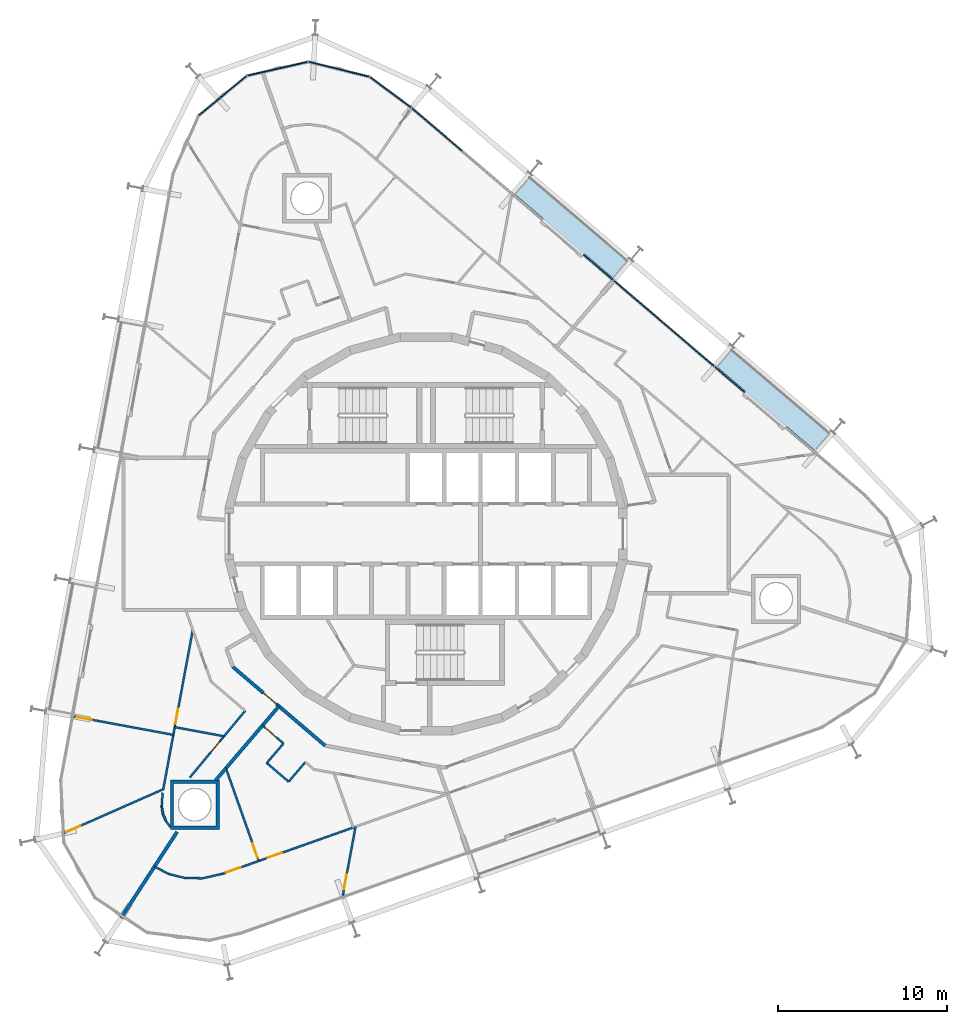
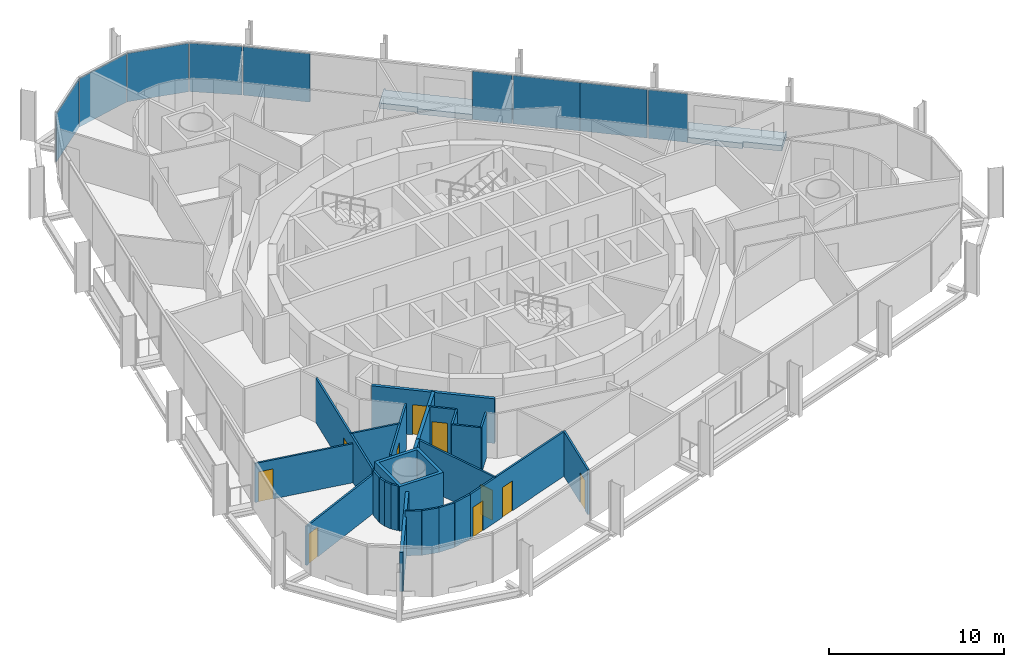
# One storey, part 10 of 17: 25 walls, 10 doors, 9 plates, 2 slabs, 10 openings, 2 elements without a shape of their own.
"""IFC4 building model written with IfcOpenShell, lengths in metres."""

import ifcopenshell
import ifcopenshell.guid

model = None  # the IFC model being written
_history = None  # IfcOwnerHistory: only IFC2X3 demands one
_inside = {}  # id of a spatial element -> (the spatial element, [elements in it])
_under = {}  # id of a project, library or spatial element -> (it, [spatial elements below it])
_declared = {}  # id of a project -> (the project, [libraries it declares])
_typed = {}  # id of a type object -> (the type object, [elements of that type])
_made_of = {}  # id of a material, layer set ... -> (it, [elements and type objects made of it])


def new_model(schema):
    """Start an empty IFC model of exactly this schema.

    Asked for "IFC4X3", IfcOpenShell would pick the latest addendum, in which some entities
    have other attributes; the version numbers below select the first issue.
    IFC2X3 requires an IfcOwnerHistory on every rooted entity: one is made here for all.
    """
    global model, _history
    if schema == "IFC4X3":
        model = ifcopenshell.file(schema_version=(4, 3, 0, 0))
    else:
        model = ifcopenshell.file(schema=schema)
    _inside.clear()
    _under.clear()
    _declared.clear()
    _typed.clear()
    _made_of.clear()
    _history = None
    if model.schema == "IFC2X3":
        org = make("IfcOrganization", Name="unknown")
        user = make(
            "IfcPersonAndOrganization",
            ThePerson=make("IfcPerson", FamilyName="unknown"),
            TheOrganization=org,
        )
        app = make(
            "IfcApplication",
            ApplicationDeveloper=org,
            Version="unknown",
            ApplicationFullName="unknown",
            ApplicationIdentifier="unknown",
        )
        _history = make(
            "IfcOwnerHistory",
            OwningUser=user,
            OwningApplication=app,
            ChangeAction="ADDED",
            CreationDate=0,
        )
    return model


def make(cls, **values):
    """One entity of the class cls with the attributes given. An attribute that is None is left unset."""
    return model.create_entity(
        cls, **{name: value for name, value in values.items() if value is not None}
    )


def rooted(cls, **values):
    """An entity with a GlobalId (a new one), such as an element, a storey or a relation."""
    return make(cls, GlobalId=ifcopenshell.guid.new(), OwnerHistory=_history, **values)


def si_unit(unit_type, name, prefix=None):
    """IfcSIUnit, for example si_unit("LENGTHUNIT", "METRE", prefix="MILLI")."""
    return make("IfcSIUnit", UnitType=unit_type, Prefix=prefix, Name=name)


def assignment(units):
    """IfcUnitAssignment: the units of a project."""
    return None if units is None else make("IfcUnitAssignment", Units=units)


def point(xyz):
    """IfcCartesianPoint."""
    return None if xyz is None else make("IfcCartesianPoint", Coordinates=xyz)


def direction(xyz):
    """IfcDirection."""
    return None if xyz is None else make("IfcDirection", DirectionRatios=xyz)


def frame(location, z_axis=None, x_axis=None):
    """IfcAxis2Placement3D, a coordinate frame: its origin and axes. An axis left out is left unset."""
    return make(
        "IfcAxis2Placement3D",
        Location=point(location),
        Axis=direction(z_axis),
        RefDirection=direction(x_axis),
    )


def frame_2d(location, x_axis=None):
    """IfcAxis2Placement2D, a coordinate frame in the plane: its origin and x axis."""
    return make(
        "IfcAxis2Placement2D", Location=point(location), RefDirection=direction(x_axis)
    )


def origin():
    """The frame at (0, 0, 0) with its axes left unset."""
    return frame((0.0, 0.0, 0.0))


def origin_2d():
    """The frame at (0, 0) in the plane with its x axis left unset."""
    return frame_2d((0.0, 0.0))


def place(relative_to, where):
    """IfcLocalPlacement: puts the frame where relative to a parent placement (None: the world)."""
    return make(
        "IfcLocalPlacement", PlacementRelTo=relative_to, RelativePlacement=where
    )


def context(
    kind, dimensions, precision=None, world=None, true_north=None, identifier=None
):
    """IfcGeometricRepresentationContext, for example the 3D "Model" context."""
    return make(
        "IfcGeometricRepresentationContext",
        ContextIdentifier=identifier,
        ContextType=kind,
        CoordinateSpaceDimension=dimensions,
        Precision=precision,
        WorldCoordinateSystem=world,
        TrueNorth=true_north,
    )


def subcontext(parent, identifier, kind, view, scale=None):
    """IfcGeometricRepresentationSubContext, for example "Body" below "Model"."""
    return make(
        "IfcGeometricRepresentationSubContext",
        ContextIdentifier=identifier,
        ContextType=kind,
        ParentContext=parent,
        TargetScale=scale,
        TargetView=view,
    )


def project(units=None, contexts=None):
    """IfcProject with its units and contexts."""
    return rooted(
        "IfcProject",
        Name="project",
        RepresentationContexts=contexts,
        UnitsInContext=assignment(units),
    )


def spatial(cls, under=None, at=None, **own):
    """A site, building, storey or space (cls), placed at a placement, below another one or the project."""
    s = rooted(cls, ObjectPlacement=at, **own)
    if under is not None:
        _under.setdefault(under.id(), (under, []))[1].append(s)
    return s


def polyline(points):
    """IfcPolyline through the points."""
    return make("IfcPolyline", Points=[point(p) for p in points])


def profile(cls, at=None, kind="AREA", **sizes):
    """A parametric profile (cls). Its sizes go by their IFC names, for example OverallWidth=200.0."""
    return make(cls, ProfileType=kind, Position=at, **sizes)


def rectangle(**sizes):
    """IfcRectangleProfileDef."""
    return profile("IfcRectangleProfileDef", **sizes)


def outline(outer, holes=None, kind="AREA"):
    """IfcArbitraryClosedProfileDef: a profile drawn as a closed curve; with holes, ...WithVoids."""
    if holes is None:
        return make("IfcArbitraryClosedProfileDef", ProfileType=kind, OuterCurve=outer)
    return make(
        "IfcArbitraryProfileDefWithVoids",
        ProfileType=kind,
        OuterCurve=outer,
        InnerCurves=holes,
    )


def extrude(swept, where, along, depth):
    """IfcExtrudedAreaSolid: the profile swept, set in the frame where, extruded along a direction by depth."""
    return make(
        "IfcExtrudedAreaSolid",
        SweptArea=swept,
        Position=where,
        ExtrudedDirection=direction(along),
        Depth=depth,
    )


def shape(context_of_items, identifier, shape_type, items):
    """IfcShapeRepresentation: the items that make up one representation, for example the "Body"."""
    return make(
        "IfcShapeRepresentation",
        ContextOfItems=context_of_items,
        RepresentationIdentifier=identifier,
        RepresentationType=shape_type,
        Items=items,
    )


def material(Name=None, Category=None):
    """IfcMaterial."""
    return make("IfcMaterial", Name=Name, Category=Category)


def layer(
    of_material, thickness, ventilated=None, Name=None, Category=None, Priority=None
):
    """IfcMaterialLayer: one layer of a wall or slab, of a material (None: an air gap)."""
    return make(
        "IfcMaterialLayer",
        Material=of_material,
        LayerThickness=thickness,
        IsVentilated=ventilated,
        Name=Name,
        Category=Category,
        Priority=Priority,
    )


def layer_set(layers, Name=None):
    """IfcMaterialLayerSet."""
    return make("IfcMaterialLayerSet", MaterialLayers=layers, LayerSetName=Name)


def made_of(thing, what):
    """Note that an element or type object is made of a material, layer set ...; save() writes the relation."""
    if what is not None:
        _made_of.setdefault(what.id(), (what, []))[1].append(thing)
    return thing


def type_object(cls, material=None, **own):
    """A type object (cls), such as IfcWallType, which elements share."""
    return made_of(rooted(cls, **own), material)


def element(
    cls,
    number,
    at=None,
    inside=None,
    cuts=None,
    type_object=None,
    material=None,
    context=None,
    identifier="Body",
    shape_type=None,
    held_by="IfcProductDefinitionShape",
    body=None,
    shapes=None,
    **own,
):
    """One element of the class cls, such as IfcWall. Its Tag is "e" and its number.

    at: its placement. inside: the storey or other place that contains it. cuts: it is an
    opening in that element (IfcRelVoidsElement). A single representation is given by context,
    identifier, shape_type and body (its items); several are given by shapes. held_by: the class
    of the entity that holds the representations. save() writes the other relations.
    """
    e = rooted(cls, Tag="e%d" % number, ObjectPlacement=at, **own)
    if body is not None:
        shapes = [shape(context, identifier, shape_type, body)]
    if shapes is not None:
        e.Representation = make(held_by, Representations=shapes)
    if inside is not None:
        _inside.setdefault(inside.id(), (inside, []))[1].append(e)
    if cuts is not None:
        rooted(
            "IfcRelVoidsElement", RelatingBuildingElement=cuts, RelatedOpeningElement=e
        )
    if type_object is not None:
        _typed.setdefault(type_object.id(), (type_object, []))[1].append(e)
    return made_of(e, material)


def fill(opening, filler):
    """IfcRelFillsElement: the door or window that sits in an opening."""
    return rooted(
        "IfcRelFillsElement",
        RelatingOpeningElement=opening,
        RelatedBuildingElement=filler,
    )


def aggregate(whole, parts):
    """IfcRelAggregates: a whole, such as a stair, and the parts it consists of."""
    return rooted("IfcRelAggregates", RelatingObject=whole, RelatedObjects=parts)


def save(model, path):
    """Write the relations noted so far, then the file.

    IfcRelAggregates (storeys below a building ...), IfcRelContainedInSpatialStructure (elements
    in a storey), IfcRelDefinesByType, IfcRelAssociatesMaterial and IfcRelDeclares: one each for
    every whole, place, type object, material and project.
    """
    for whole, parts in _under.values():
        aggregate(whole, parts)
    for where, things in _inside.values():
        rooted(
            "IfcRelContainedInSpatialStructure",
            RelatedElements=things,
            RelatingStructure=where,
        )
    for kind, things in _typed.values():
        rooted("IfcRelDefinesByType", RelatedObjects=things, RelatingType=kind)
    for what, things in _made_of.values():
        rooted("IfcRelAssociatesMaterial", RelatedObjects=things, RelatingMaterial=what)
    for by, libraries in _declared.values():
        rooted("IfcRelDeclares", RelatingContext=by, RelatedDefinitions=libraries)
    model.write(path)


model = new_model("IFC4")

# Units and contexts
model_context = context("Model", 3, precision=1e-05, world=origin(), true_north=direction((0.0, 1.0)))
body_context = subcontext(model_context, "Body", "Model", "MODEL_VIEW")
ifc_project = project(units=[si_unit("LENGTHUNIT", "METRE"), si_unit("AREAUNIT", "SQUARE_METRE"), si_unit("VOLUMEUNIT", "CUBIC_METRE"), si_unit("PLANEANGLEUNIT", "RADIAN"), si_unit("MASSUNIT", "GRAM", prefix="KILO")], contexts=[model_context])

# Site, building, storey
site_placement = place(None, origin())
site = spatial("IfcSite", under=ifc_project, at=site_placement, CompositionType="ELEMENT")
building_placement = place(site_placement, origin())
building = spatial("IfcBuilding", under=site, at=building_placement, Name="Spindle Arch Residences", CompositionType="ELEMENT")
storey_placement = place(building_placement, frame((0.0, 0.0, 155.199951171875)))
storey = spatial("IfcBuildingStorey", under=building, at=storey_placement, Name="L38", CompositionType="ELEMENT", Elevation=155.199951171875)

# Slabs
ifc_material_1 = material(Name="Concrete C40/50", Category="concrete")
ifc_layer_1 = layer(ifc_material_1, 0.3798828125)
ifc_layer_set_1 = layer_set([ifc_layer_1], Name="Balcony slab 380")
slab_type = type_object("IfcSlabType", Name="Balcony slab 380", PredefinedType="FLOOR", material=ifc_layer_set_1)
slab_1_placement = place(storey_placement, frame((0.0, 0.0, -0.3798828125)))
element("IfcSlab", 1, at=slab_1_placement, inside=storey, type_object=slab_type, Name="Balcony L38 bay 6", PredefinedType="FLOOR", context=body_context, shape_type="SweptSolid", body=[
    extrude(outline(polyline([(24.00830078125, 6.037353515625), (23.951171875, 6.0859375), (23.853759765625, 5.971923828125), (18.105224609375, 10.8818359375), (18.20263671875, 10.995849609375), (18.1455078125, 11.044677734375), (17.177734375, 9.91162109375), (18.892578125, 8.447021484375), (18.78857421875, 8.325439453125), (21.221923828125, 6.2470703125), (21.325927734375, 6.368896484375), (23.04052734375, 4.904296875), (24.00830078125, 6.037353515625)])), origin(), (0.0, 0.0, 1.0), 0.3798828125),
])
slab_2_placement = place(storey_placement, frame((0.0, 0.0, -0.3798828125)))
element("IfcSlab", 2, at=slab_2_placement, inside=storey, type_object=slab_type, Name="Balcony L38 bay 8", PredefinedType="FLOOR", context=body_context, shape_type="SweptSolid", body=[
    extrude(outline(polyline([(12.0546875, 16.246826171875), (11.99755859375, 16.29541015625), (11.900146484375, 16.181396484375), (6.1513671875, 21.09130859375), (6.248779296875, 21.205322265625), (6.19189453125, 21.25390625), (5.22412109375, 20.12109375), (6.93896484375, 18.656494140625), (6.8349609375, 18.534912109375), (9.268310546875, 16.45654296875), (9.3720703125, 16.578369140625), (11.0869140625, 15.11376953125), (12.0546875, 16.246826171875)])), origin(), (0.0, 0.0, 1.0), 0.3798828125),
])

# Curtain wall, plates
ifc_material_2 = material(Name="Aluminium bronze unitised frame with tinted glass", Category="aluminium")
ifc_layer_2 = layer(ifc_material_2, 0.159912109375)
ifc_layer_set_2 = layer_set([ifc_layer_2], Name="CW-C typical residential unitised wall")
curtain_wall_type_1 = type_object("IfcCurtainWallType", Name="CW-C typical residential unitised wall", PredefinedType="NOTDEFINED", material=ifc_layer_set_2)
curtain_wall_1_placement = place(storey_placement, origin())
curtain_wall_1 = element("IfcCurtainWall", 3, at=curtain_wall_1_placement, inside=storey, type_object=curtain_wall_type_1, Name="CW-C L38 run 2", PredefinedType="NOTDEFINED")
ifc_material_3 = material(Name="Tinted double glazing over non-combustible spandrel zone with 0.55 mm stainless steel cavity fire stop (K0)", Category="steel")
ifc_layer_3 = layer(ifc_material_3, 0.070068359375)
ifc_layer_set_3 = layer_set([ifc_layer_3], Name="Unitised glass panel with spandrel zone and stainless cavity fire stop")
plate_type = type_object("IfcPlateType", Name="Unitised glass panel with spandrel zone and stainless cavity fire stop", PredefinedType="CURTAIN_PANEL", material=ifc_layer_set_3)
plate_1_placement = place(storey_placement, frame((17.966064453125, 9.133056640625, -0.3798828125), z_axis=(0.0, 0.0, 1.0), x_axis=(-0.7604059656, 0.64944804833, 0.0)))
plate_1 = element("IfcPlate", 4, at=plate_1_placement, type_object=plate_type, Name="CW-C unit 05R", PredefinedType="CURTAIN_PANEL", context=body_context, shape_type="SweptSolid", body=[
    extrude(rectangle(XDim=2.300048828125, YDim=0.070068359375, at=origin_2d()), origin(), (0.0, 0.0, 1.0), 3.3798828125),
])
plate_2_placement = place(storey_placement, frame((15.563232421875, 11.185302734375, -0.3798828125), z_axis=(0.0, 0.0, 1.0), x_axis=(-0.7604059656, 0.64944804833, 0.0)))
plate_2 = element("IfcPlate", 5, at=plate_2_placement, type_object=plate_type, Name="CW-C unit 06A", PredefinedType="CURTAIN_PANEL", context=body_context, shape_type="SweptSolid", body=[
    extrude(rectangle(XDim=3.900146484375, YDim=0.070068359375, at=origin_2d()), origin(), (0.0, 0.0, 1.0), 3.3798828125),
])
plate_3_placement = place(storey_placement, frame((12.59765625, 13.71826171875, -0.3798828125), z_axis=(0.0, 0.0, 1.0), x_axis=(-0.7604059656, 0.64944804833, 0.0)))
plate_3 = element("IfcPlate", 6, at=plate_3_placement, type_object=plate_type, Name="CW-C unit 06B", PredefinedType="CURTAIN_PANEL", context=body_context, shape_type="SweptSolid", body=[
    extrude(rectangle(XDim=3.900146484375, YDim=0.070068359375, at=origin_2d()), origin(), (0.0, 0.0, 1.0), 3.3798828125),
])
plate_4_placement = place(storey_placement, frame((10.19482421875, 15.7705078125, -0.3798828125), z_axis=(0.0, 0.0, 1.0), x_axis=(-0.7604059656, 0.64944804833, 0.0)))
plate_4 = element("IfcPlate", 7, at=plate_4_placement, type_object=plate_type, Name="CW-C unit 07L", PredefinedType="CURTAIN_PANEL", context=body_context, shape_type="SweptSolid", body=[
    extrude(rectangle(XDim=2.300048828125, YDim=0.070068359375, at=origin_2d()), origin(), (0.0, 0.0, 1.0), 3.3798828125),
])
plate_5_placement = place(storey_placement, frame((0.643798828125, 23.927734375, -0.3798828125), z_axis=(0.0, 0.0, 1.0), x_axis=(-0.7604059656, 0.64944804833, 0.0)))
plate_5 = element("IfcPlate", 8, at=plate_5_placement, type_object=plate_type, Name="CW-C unit 08B", PredefinedType="CURTAIN_PANEL", context=body_context, shape_type="SweptSolid", body=[
    extrude(rectangle(XDim=3.900146484375, YDim=0.070068359375, at=origin_2d()), origin(), (0.0, 0.0, 1.0), 3.3798828125),
])
aggregate(curtain_wall_1, [plate_1, plate_2, plate_3, plate_4, plate_5])

ifc_material_4 = material(Name="Aluminium bronze unitised frame with tinted glass", Category="aluminium")
ifc_layer_4 = layer(ifc_material_4, 0.159912109375)
ifc_layer_set_4 = layer_set([ifc_layer_4], Name="CW-D corner wall on the fillet arcs")
curtain_wall_type_2 = type_object("IfcCurtainWallType", Name="CW-D corner wall on the fillet arcs", PredefinedType="NOTDEFINED", material=ifc_layer_set_4)
curtain_wall_2_placement = place(storey_placement, origin())
curtain_wall_2 = element("IfcCurtainWall", 9, at=curtain_wall_2_placement, inside=storey, type_object=curtain_wall_type_2, Name="CW-D L38 run 3", PredefinedType="NOTDEFINED")
plate_6_placement = place(storey_placement, frame((-2.102294921875, 26.1298828125, -0.3798828125), z_axis=(0.0, 0.0, 1.0), x_axis=(-0.804365716131, 0.594134492109, 0.0)))
plate_6 = element("IfcPlate", 10, at=plate_6_placement, type_object=plate_type, Name="CW-D unit 00", PredefinedType="CURTAIN_PANEL", context=body_context, shape_type="SweptSolid", body=[
    extrude(rectangle(XDim=3.0244140625, YDim=0.070068359375, at=origin_2d()), origin(), (0.0, 0.0, 1.0), 3.3798828125),
])
plate_7_placement = place(storey_placement, frame((-5.152099609375, 27.49169921875, -0.3798828125), z_axis=(0.0, 0.0, 1.0), x_axis=(-0.970995342056, 0.239098401721, 0.0)))
plate_7 = element("IfcPlate", 11, at=plate_7_placement, type_object=plate_type, Name="CW-D unit 01", PredefinedType="CURTAIN_PANEL", context=body_context, shape_type="SweptSolid", body=[
    extrude(rectangle(XDim=3.666748046875, YDim=0.070068359375, at=origin_2d()), origin(), (0.0, 0.0, 1.0), 3.3798828125),
])
plate_8_placement = place(storey_placement, frame((-8.7783203125, 27.5234375, -0.3798828125), z_axis=(0.0, 0.0, 1.0), x_axis=(-0.975020297449, -0.222115779633, 0.0)))
plate_8 = element("IfcPlate", 12, at=plate_8_placement, type_object=plate_type, Name="CW-D unit 02", PredefinedType="CURTAIN_PANEL", context=body_context, shape_type="SweptSolid", body=[
    extrude(rectangle(XDim=3.666748046875, YDim=0.070068359375, at=origin_2d()), origin(), (0.0, 0.0, 1.0), 3.3798828125),
])
plate_9_placement = place(storey_placement, frame((-12.032958984375, 25.92431640625, -0.3798828125), z_axis=(0.0, 0.0, 1.0), x_axis=(-0.771624583032, -0.636078220709, 0.0)))
plate_9 = element("IfcPlate", 13, at=plate_9_placement, type_object=plate_type, Name="CW-D unit 03", PredefinedType="CURTAIN_PANEL", context=body_context, shape_type="SweptSolid", body=[
    extrude(rectangle(XDim=3.666748046875, YDim=0.070068359375, at=origin_2d()), origin(), (0.0, 0.0, 1.0), 3.3798828125),
])
aggregate(curtain_wall_2, [plate_6, plate_7, plate_8, plate_9])

# Wall, opening, door
ifc_material_5 = material(Name="Calcium silicate block, plastered")
ifc_layer_5 = layer(ifc_material_5, 0.199951171875)
ifc_layer_set_5 = layer_set([ifc_layer_5], Name="Corridor wall 200")
wall_type_1 = type_object("IfcWallType", Name="Corridor wall 200", PredefinedType="STANDARD", material=ifc_layer_set_5)
wall_1_placement = place(storey_placement, frame((-11.432861328125, -7.857666015625, 0.0), z_axis=(0.0, 0.0, 1.0), x_axis=(0.760412154545, -0.649440801937, 0.0)))
wall_1 = element("IfcWall", 14, at=wall_1_placement, inside=storey, type_object=wall_type_1, Name="Corridor wall R4A1-W017", PredefinedType="STANDARD", context=body_context, shape_type="SweptSolid", body=[
    extrude(rectangle(XDim=7.180908203125, YDim=0.199951171875, at=frame_2d((3.59033203125, 0.0))), origin(), (0.0, 0.0, 1.0), 3.1201171875),
])
opening_1_placement = place(wall_1_placement, frame((2.390380859375, 0.0, 0.0)))
opening_1 = element("IfcOpeningElement", 15, at=opening_1_placement, cuts=wall_1, Name="Opening R4A1-FD04", PredefinedType="OPENING", context=body_context, shape_type="SweptSolid", body=[
    extrude(rectangle(XDim=1.0, YDim=2.10009765625, at=frame_2d((0.5, 1.050048828125))), frame((0.0, 0.10986328125, 0.0), z_axis=(0.0, -1.0, 0.0), x_axis=(1.0, 0.0, 0.0)), (0.0, 0.0, 1.0), 0.219970703125),
])
ifc_material_6 = material(Name="Timber, fire-resisting door set", Category="wood")
door_type_1 = type_object("IfcDoorType", Name="Flat entrance door 1000x2100", OperationType="NOTDEFINED", PredefinedType="DOOR", material=ifc_material_6)
door_1_placement = place(opening_1_placement, origin())
door_1 = element("IfcDoor", 16, at=door_1_placement, inside=storey, type_object=door_type_1, Name="Flat entrance door R4A1-FD04", OperationType="SINGLE_SWING_RIGHT", OverallHeight=2.10009765625, OverallWidth=1.0, PredefinedType="DOOR", context=body_context, shape_type="SweptSolid", body=[
    extrude(rectangle(XDim=1.0, YDim=2.10009765625, at=frame_2d((0.5, 1.050048828125))), frame((0.0, 0.02490234375, 0.0), z_axis=(0.0, -1.0, 0.0), x_axis=(1.0, 0.0, 0.0)), (0.0, 0.0, 1.0), 0.050048828125),
])
fill(opening_1, door_1)

ifc_material_7 = material(Name="Plasterboard on steel studs", Category="steel")
ifc_layer_6 = layer(ifc_material_7, 0.1201171875)
ifc_layer_set_6 = layer_set([ifc_layer_6], Name="Flat partition 120")
wall_type_2 = type_object("IfcWallType", Name="Flat partition 120", PredefinedType="PARTITIONING", material=ifc_layer_set_6)
wall_2_placement = place(storey_placement, frame((-10.697998046875, -10.4580078125, 0.0), z_axis=(0.0, 0.0, 1.0), x_axis=(-0.63830561059, -0.769783052223, 0.0)))
wall_2 = element("IfcWall", 17, at=wall_2_placement, inside=storey, type_object=wall_type_2, Name="Flat partition R4A1-W087", PredefinedType="PARTITIONING", context=body_context, shape_type="SweptSolid", body=[
    extrude(rectangle(XDim=5.130615234375, YDim=0.1201171875, at=frame_2d((2.5654296875, 0.0))), origin(), (0.0, 0.0, 1.0), 3.1201171875),
])
opening_2_placement = place(wall_2_placement, frame((2.362548828125, 0.0, 0.0)))
opening_2 = element("IfcOpeningElement", 18, at=opening_2_placement, cuts=wall_2, Name="Opening R4A1-BD04", PredefinedType="OPENING", context=body_context, shape_type="SweptSolid", body=[
    extrude(rectangle(XDim=0.800048828125, YDim=2.10009765625, at=frame_2d((0.39990234375, 1.050048828125))), frame((0.0, 0.070068359375, 0.0), z_axis=(0.0, -1.0, 0.0), x_axis=(1.0, 0.0, 0.0)), (0.0, 0.0, 1.0), 0.14013671875),
])
ifc_material_8 = material(Name="Timber door set", Category="wood")
door_type_2 = type_object("IfcDoorType", Name="Bathroom door 800x2100", OperationType="NOTDEFINED", PredefinedType="DOOR", material=ifc_material_8)
door_2_placement = place(opening_2_placement, origin())
door_2 = element("IfcDoor", 19, at=door_2_placement, inside=storey, type_object=door_type_2, Name="Bathroom door R4A1-BD04", OperationType="SINGLE_SWING_RIGHT", OverallHeight=2.10009765625, OverallWidth=0.800048828125, PredefinedType="DOOR", context=body_context, shape_type="SweptSolid", body=[
    extrude(rectangle(XDim=0.800048828125, YDim=2.10009765625, at=frame_2d((0.39990234375, 1.050048828125))), frame((0.0, 0.02490234375, 0.0), z_axis=(0.0, -1.0, 0.0), x_axis=(1.0, 0.0, 0.0)), (0.0, 0.0, 1.0), 0.050048828125),
])
fill(opening_2, door_2)

wall_3_placement = place(storey_placement, frame((-15.55419921875, -15.149169921875, 0.0), z_axis=(0.0, 0.0, 1.0), x_axis=(0.182237116667, 0.983254612656, 0.0)))
wall_3 = element("IfcWall", 20, at=wall_3_placement, inside=storey, type_object=wall_type_2, Name="Flat partition R4A1-W089", PredefinedType="PARTITIONING", context=body_context, shape_type="SweptSolid", body=[
    extrude(rectangle(XDim=9.6376953125, YDim=0.1201171875, at=frame_2d((4.81884765625, 0.0))), origin(), (0.0, 0.0, 1.0), 3.1201171875),
])
opening_3_placement = place(wall_3_placement, frame((3.98388671875, 0.0, 0.0)))
opening_3 = element("IfcOpeningElement", 21, at=opening_3_placement, cuts=wall_3, Name="Opening R4A1-ID17", PredefinedType="OPENING", context=body_context, shape_type="SweptSolid", body=[
    extrude(rectangle(XDim=0.89990234375, YDim=2.10009765625, at=frame_2d((0.449951171875, 1.050048828125))), frame((0.0, 0.070068359375, 0.0), z_axis=(0.0, -1.0, 0.0), x_axis=(1.0, 0.0, 0.0)), (0.0, 0.0, 1.0), 0.14013671875),
])
ifc_material_9 = material(Name="Timber door set", Category="wood")
door_type_3 = type_object("IfcDoorType", Name="Room door 900x2100", OperationType="NOTDEFINED", PredefinedType="DOOR", material=ifc_material_9)
door_3_placement = place(opening_3_placement, origin())
door_3 = element("IfcDoor", 22, at=door_3_placement, inside=storey, type_object=door_type_3, Name="Room door R4A1-ID17", OperationType="SINGLE_SWING_RIGHT", OverallHeight=2.10009765625, OverallWidth=0.89990234375, PredefinedType="DOOR", context=body_context, shape_type="SweptSolid", body=[
    extrude(rectangle(XDim=0.89990234375, YDim=2.10009765625, at=frame_2d((0.449951171875, 1.050048828125))), frame((0.0, 0.02490234375, 0.0), z_axis=(0.0, -1.0, 0.0), x_axis=(1.0, 0.0, 0.0)), (0.0, 0.0, 1.0), 0.050048828125),
])
fill(opening_3, door_3)

# Walls
wall_4_placement = place(storey_placement, frame((-14.864501953125, -11.428466796875, 0.0), z_axis=(0.0, 0.0, 1.0), x_axis=(0.983255224962, -0.182233812955, 0.0)))
element("IfcWall", 23, at=wall_4_placement, inside=storey, type_object=wall_type_2, Name="Flat partition R4A1-W091", PredefinedType="PARTITIONING", context=body_context, shape_type="SweptSolid", body=[
    extrude(rectangle(XDim=2.96337890625, YDim=0.1201171875, at=frame_2d((1.481689453125, 0.0))), origin(), (0.0, 0.0, 1.0), 3.1201171875),
])
wall_5_placement = place(storey_placement, frame((-15.583984375, -15.310546875, 0.0), z_axis=(0.0, 0.0, 1.0), x_axis=(-0.066880551605, -0.997760989324, 0.0)))
element("IfcWall", 24, at=wall_5_placement, inside=storey, type_object=wall_type_2, Name="Flat partition R4A1-W092", PredefinedType="PARTITIONING", context=body_context, shape_type="SweptSolid", body=[
    extrude(rectangle(XDim=0.806640625, YDim=0.1201171875, at=frame_2d((0.4033203125, 0.0))), origin(), (0.0, 0.0, 1.0), 3.1201171875),
])
for number, where, z_axis, x_axis, name in (
    (25, (-15.637939453125, -16.115478515625, 0.0), (0.0, 0.0, 1.0), (0.16474706489, -0.986335847777, 0.0), "Flat partition R4A1-W093"),
    (26, (-15.56298828125, -16.564208984375, 0.0), (0.0, 0.0, 1.0), (0.388536778391, -0.921433216157, 0.0), "Flat partition R4A1-W094"),
):
    element("IfcWall", number, at=place(storey_placement, frame(where, z_axis=z_axis, x_axis=x_axis)), inside=storey, type_object=wall_type_2, Name=name, PredefinedType="PARTITIONING", context=body_context, shape_type="SweptSolid", body=[
        extrude(rectangle(XDim=0.454833984375, YDim=0.1201171875, at=frame_2d((0.2275390625, 0.0))), origin(), (0.0, 0.0, 1.0), 3.1201171875),
    ])
wall_6_placement = place(storey_placement, frame((-15.38623046875, -16.9833984375, 0.0), z_axis=(0.0, 0.0, 1.0), x_axis=(0.590016589342, -0.807391122258, 0.0)))
element("IfcWall", 27, at=wall_6_placement, inside=storey, type_object=wall_type_2, Name="Flat partition R4A1-W095", PredefinedType="PARTITIONING", context=body_context, shape_type="SweptSolid", body=[
    extrude(rectangle(XDim=0.432373046875, YDim=0.1201171875, at=frame_2d((0.21630859375, 0.0))), origin(), (0.0, 0.0, 1.0), 3.1201171875),
])

# Wall, opening, door
wall_7_placement = place(storey_placement, frame((-9.6767578125, -11.330078125, 0.0), z_axis=(0.0, 0.0, 1.0), x_axis=(0.760372142735, -0.649487647729, 0.0)))
wall_7 = element("IfcWall", 28, at=wall_7_placement, inside=storey, type_object=wall_type_2, Name="Flat partition R4A1-W096", PredefinedType="PARTITIONING", context=body_context, shape_type="SweptSolid", body=[
    extrude(rectangle(XDim=1.635986328125, YDim=0.1201171875, at=frame_2d((0.81787109375, 0.0))), origin(), (0.0, 0.0, 1.0), 3.1201171875),
])
opening_4_placement = place(wall_7_placement, frame((0.199951171875, 0.0, 0.0)))
opening_4 = element("IfcOpeningElement", 29, at=opening_4_placement, cuts=wall_7, Name="Opening R4A1-ID20", PredefinedType="OPENING", context=body_context, shape_type="SweptSolid", body=[
    extrude(rectangle(XDim=0.89990234375, YDim=2.10009765625, at=frame_2d((0.449951171875, 1.050048828125))), frame((0.0, 0.070068359375, 0.0), z_axis=(0.0, -1.0, 0.0), x_axis=(1.0, 0.0, 0.0)), (0.0, 0.0, 1.0), 0.14013671875),
])
door_4_placement = place(opening_4_placement, origin())
door_4 = element("IfcDoor", 30, at=door_4_placement, inside=storey, type_object=door_type_3, Name="Room door R4A1-ID20", OperationType="SINGLE_SWING_LEFT", OverallHeight=2.10009765625, OverallWidth=0.89990234375, PredefinedType="DOOR", context=body_context, shape_type="SweptSolid", body=[
    extrude(rectangle(XDim=0.89990234375, YDim=2.10009765625, at=frame_2d((0.449951171875, 1.050048828125))), frame((0.0, 0.02490234375, 0.0), z_axis=(0.0, -1.0, 0.0), x_axis=(1.0, 0.0, 0.0)), (0.0, 0.0, 1.0), 0.050048828125),
])
fill(opening_4, door_4)

# Walls
wall_8_placement = place(storey_placement, frame((-8.432861328125, -12.392578125, 0.0), z_axis=(0.0, 0.0, 1.0), x_axis=(-0.649443355674, -0.760409973482, 0.0)))
element("IfcWall", 31, at=wall_8_placement, inside=storey, type_object=wall_type_2, Name="Flat partition R4A1-W097", PredefinedType="PARTITIONING", context=body_context, shape_type="SweptSolid", body=[
    extrude(rectangle(XDim=1.5224609375, YDim=0.1201171875, at=frame_2d((0.76123046875, 0.0))), origin(), (0.0, 0.0, 1.0), 3.1201171875),
])
wall_9_placement = place(storey_placement, frame((-9.421630859375, -13.55029296875, 0.0), z_axis=(0.0, 0.0, 1.0), x_axis=(0.760431300628, -0.649418383652, 0.0)))
element("IfcWall", 32, at=wall_9_placement, inside=storey, type_object=wall_type_2, Name="Flat partition R4A1-W098", PredefinedType="PARTITIONING", context=body_context, shape_type="SweptSolid", body=[
    extrude(rectangle(XDim=1.699951171875, YDim=0.1201171875, at=frame_2d((0.85009765625, 0.0))), origin(), (0.0, 0.0, 1.0), 3.1201171875),
])
wall_10_placement = place(storey_placement, frame((-8.12890625, -14.654296875, 0.0), z_axis=(0.0, 0.0, 1.0), x_axis=(0.649443355674, 0.760409973482, 0.0)))
element("IfcWall", 33, at=wall_10_placement, inside=storey, type_object=wall_type_2, Name="Flat partition R4A1-W099", PredefinedType="PARTITIONING", context=body_context, shape_type="SweptSolid", body=[
    extrude(rectangle(XDim=1.5224609375, YDim=0.1201171875, at=frame_2d((0.76123046875, 0.0))), origin(), (0.0, 0.0, 1.0), 3.1201171875),
])

# Wall, opening, door
wall_11_placement = place(storey_placement, frame((-9.895263671875, -19.345703125, 0.0), z_axis=(0.0, 0.0, 1.0), x_axis=(-0.333781129158, 0.942650602195, 0.0)))
wall_11 = element("IfcWall", 34, at=wall_11_placement, inside=storey, type_object=wall_type_2, Name="Flat partition R4A1-W102", PredefinedType="PARTITIONING", context=body_context, shape_type="SweptSolid", body=[
    extrude(rectangle(XDim=5.8193359375, YDim=0.1201171875, at=frame_2d((2.90966796875, 0.0))), origin(), (0.0, 0.0, 1.0), 3.1201171875),
])
opening_5_placement = place(wall_11_placement, frame((0.199951171875, 0.0, 0.0)))
opening_5 = element("IfcOpeningElement", 35, at=opening_5_placement, cuts=wall_11, Name="Opening R4A1-ID21", PredefinedType="OPENING", context=body_context, shape_type="SweptSolid", body=[
    extrude(rectangle(XDim=0.89990234375, YDim=2.10009765625, at=frame_2d((0.449951171875, 1.050048828125))), frame((0.0, 0.070068359375, 0.0), z_axis=(0.0, -1.0, 0.0), x_axis=(1.0, 0.0, 0.0)), (0.0, 0.0, 1.0), 0.14013671875),
])
door_5_placement = place(opening_5_placement, origin())
door_5 = element("IfcDoor", 36, at=door_5_placement, inside=storey, type_object=door_type_3, Name="Room door R4A1-ID21", OperationType="SINGLE_SWING_LEFT", OverallHeight=2.10009765625, OverallWidth=0.89990234375, PredefinedType="DOOR", context=body_context, shape_type="SweptSolid", body=[
    extrude(rectangle(XDim=0.89990234375, YDim=2.10009765625, at=frame_2d((0.449951171875, 1.050048828125))), frame((0.0, 0.02490234375, 0.0), z_axis=(0.0, -1.0, 0.0), x_axis=(1.0, 0.0, 0.0)), (0.0, 0.0, 1.0), 0.050048828125),
])
fill(opening_5, door_5)

# Walls
wall_12_placement = place(storey_placement, frame((-16.065185546875, -19.679931640625, 0.0), z_axis=(0.0, 0.0, 1.0), x_axis=(0.889684645268, -0.456575549033, 0.0)))
element("IfcWall", 37, at=wall_12_placement, inside=storey, type_object=wall_type_2, Name="Flat partition R4A1-W103", PredefinedType="PARTITIONING", context=body_context, shape_type="SweptSolid", body=[
    extrude(rectangle(XDim=0.95703125, YDim=0.1201171875, at=frame_2d((0.478515625, 0.0))), origin(), (0.0, 0.0, 1.0), 3.1201171875),
])
wall_13_placement = place(storey_placement, frame((-15.213623046875, -20.116943359375, 0.0), z_axis=(0.0, 0.0, 1.0), x_axis=(0.970998575146, -0.239085271534, 0.0)))
element("IfcWall", 38, at=wall_13_placement, inside=storey, type_object=wall_type_2, Name="Flat partition R4A1-W104", PredefinedType="PARTITIONING", context=body_context, shape_type="SweptSolid", body=[
    extrude(rectangle(XDim=1.01611328125, YDim=0.1201171875, at=frame_2d((0.508056640625, 0.0))), origin(), (0.0, 0.0, 1.0), 3.1201171875),
])
wall_14_placement = place(storey_placement, frame((-14.22705078125, -20.35986328125, 0.0), z_axis=(0.0, 0.0, 1.0), x_axis=(0.999960467683, -0.008891741722, 0.0)))
element("IfcWall", 39, at=wall_14_placement, inside=storey, type_object=wall_type_2, Name="Flat partition R4A1-W105", PredefinedType="PARTITIONING", context=body_context, shape_type="SweptSolid", body=[
    extrude(rectangle(XDim=1.015869140625, YDim=0.1201171875, at=frame_2d((0.5078125, 0.0))), origin(), (0.0, 0.0, 1.0), 3.1201171875),
])
wall_15_placement = place(storey_placement, frame((-13.211181640625, -20.368896484375, 0.0), z_axis=(0.0, 0.0, 1.0), x_axis=(0.974997834831, 0.222214360642, 0.0)))
element("IfcWall", 40, at=wall_15_placement, inside=storey, type_object=wall_type_2, Name="Flat partition R4A1-W106", PredefinedType="PARTITIONING", context=body_context, shape_type="SweptSolid", body=[
    extrude(rectangle(XDim=1.227294921875, YDim=0.1201171875, at=frame_2d((0.61376953125, 0.0))), origin(), (0.0, 0.0, 1.0), 3.1201171875),
])

# Wall, openings, doors
wall_16_placement = place(storey_placement, frame((-12.0146484375, -20.09619140625, 0.0), z_axis=(0.0, 0.0, 1.0), x_axis=(0.942638718556, 0.333814688531, 0.0)))
wall_16 = element("IfcWall", 41, at=wall_16_placement, inside=storey, type_object=wall_type_2, Name="Flat partition R4A1-W107", PredefinedType="PARTITIONING", context=body_context, shape_type="SweptSolid", body=[
    extrude(rectangle(XDim=8.216064453125, YDim=0.1201171875, at=frame_2d((4.10791015625, 0.0))), origin(), (0.0, 0.0, 1.0), 3.1201171875),
])
opening_6_placement = place(wall_16_placement, frame((2.80859375, 0.0, 0.0)))
opening_6 = element("IfcOpeningElement", 42, at=opening_6_placement, cuts=wall_16, Name="Opening R4A1-ID22", PredefinedType="OPENING", context=body_context, shape_type="SweptSolid", body=[
    extrude(rectangle(XDim=0.89990234375, YDim=2.10009765625, at=frame_2d((0.449951171875, 1.050048828125))), frame((0.0, 0.070068359375, 0.0), z_axis=(0.0, -1.0, 0.0), x_axis=(1.0, 0.0, 0.0)), (0.0, 0.0, 1.0), 0.14013671875),
])
opening_7_placement = place(wall_16_placement, frame((0.199951171875, 0.0, 0.0)))
opening_7 = element("IfcOpeningElement", 43, at=opening_7_placement, cuts=wall_16, Name="Opening R4A1-ID24", PredefinedType="OPENING", context=body_context, shape_type="SweptSolid", body=[
    extrude(rectangle(XDim=0.89990234375, YDim=2.10009765625, at=frame_2d((0.449951171875, 1.050048828125))), frame((0.0, 0.070068359375, 0.0), z_axis=(0.0, -1.0, 0.0), x_axis=(1.0, 0.0, 0.0)), (0.0, 0.0, 1.0), 0.14013671875),
])
door_6_placement = place(opening_6_placement, origin())
door_6 = element("IfcDoor", 44, at=door_6_placement, inside=storey, type_object=door_type_3, Name="Room door R4A1-ID22", OperationType="SINGLE_SWING_LEFT", OverallHeight=2.10009765625, OverallWidth=0.89990234375, PredefinedType="DOOR", context=body_context, shape_type="SweptSolid", body=[
    extrude(rectangle(XDim=0.89990234375, YDim=2.10009765625, at=frame_2d((0.449951171875, 1.050048828125))), frame((0.0, 0.02490234375, 0.0), z_axis=(0.0, -1.0, 0.0), x_axis=(1.0, 0.0, 0.0)), (0.0, 0.0, 1.0), 0.050048828125),
])
fill(opening_6, door_6)
door_7_placement = place(opening_7_placement, origin())
door_7 = element("IfcDoor", 45, at=door_7_placement, inside=storey, type_object=door_type_3, Name="Room door R4A1-ID24", OperationType="SINGLE_SWING_LEFT", OverallHeight=2.10009765625, OverallWidth=0.89990234375, PredefinedType="DOOR", context=body_context, shape_type="SweptSolid", body=[
    extrude(rectangle(XDim=0.89990234375, YDim=2.10009765625, at=frame_2d((0.449951171875, 1.050048828125))), frame((0.0, 0.02490234375, 0.0), z_axis=(0.0, -1.0, 0.0), x_axis=(1.0, 0.0, 0.0)), (0.0, 0.0, 1.0), 0.050048828125),
])
fill(opening_7, door_7)

# Wall, opening, door
wall_17_placement = place(storey_placement, frame((-4.927490234375, -21.405517578125, 0.0), z_axis=(0.0, 0.0, 1.0), x_axis=(0.182238575099, 0.983254342348, 0.0)))
wall_17 = element("IfcWall", 46, at=wall_17_placement, inside=storey, type_object=wall_type_2, Name="Flat partition R4A1-W109", PredefinedType="PARTITIONING", context=body_context, shape_type="SweptSolid", body=[
    extrude(rectangle(XDim=4.156982421875, YDim=0.1201171875, at=frame_2d((2.07861328125, 0.0))), origin(), (0.0, 0.0, 1.0), 3.1201171875),
])
opening_8_placement = place(wall_17_placement, frame((0.39990234375, 0.0, 0.0)))
opening_8 = element("IfcOpeningElement", 47, at=opening_8_placement, cuts=wall_17, Name="Opening R4A1-ID23", PredefinedType="OPENING", context=body_context, shape_type="SweptSolid", body=[
    extrude(rectangle(XDim=0.89990234375, YDim=2.10009765625, at=frame_2d((0.449951171875, 1.050048828125))), frame((0.0, 0.070068359375, 0.0), z_axis=(0.0, -1.0, 0.0), x_axis=(1.0, 0.0, 0.0)), (0.0, 0.0, 1.0), 0.14013671875),
])
door_8_placement = place(opening_8_placement, origin())
door_8 = element("IfcDoor", 48, at=door_8_placement, inside=storey, type_object=door_type_3, Name="Room door R4A1-ID23", OperationType="SINGLE_SWING_RIGHT", OverallHeight=2.10009765625, OverallWidth=0.89990234375, PredefinedType="DOOR", context=body_context, shape_type="SweptSolid", body=[
    extrude(rectangle(XDim=0.89990234375, YDim=2.10009765625, at=frame_2d((0.449951171875, 1.050048828125))), frame((0.0, 0.02490234375, 0.0), z_axis=(0.0, -1.0, 0.0), x_axis=(1.0, 0.0, 0.0)), (0.0, 0.0, 1.0), 0.050048828125),
])
fill(opening_8, door_8)

ifc_material_10 = material(Name="Plasterboard on steel studs", Category="steel")
ifc_layer_7 = layer(ifc_material_10, 0.1201171875)
ifc_layer_set_7 = layer_set([ifc_layer_7], Name="Flat partition 120 under beam 2730")
wall_type_3 = type_object("IfcWallType", Name="Flat partition 120 under beam 2730", PredefinedType="PARTITIONING", material=ifc_layer_set_7)
wall_18_placement = place(storey_placement, frame((-20.8486328125, -10.79150390625, 0.0), z_axis=(0.0, 0.0, 1.0), x_axis=(0.983251500113, -0.182253909494, 0.0)))
wall_18 = element("IfcWall", 49, at=wall_18_placement, inside=storey, type_object=wall_type_3, Name="Flat partition R4A1-W088", PredefinedType="PARTITIONING", context=body_context, shape_type="SweptSolid", body=[
    extrude(rectangle(XDim=6.0, YDim=0.1201171875, at=frame_2d((3.0, 0.0))), origin(), (0.0, 0.0, 1.0), 2.72998046875),
])
opening_9_placement = place(wall_18_placement, frame((0.199951171875, 0.0, 0.0)))
opening_9 = element("IfcOpeningElement", 50, at=opening_9_placement, cuts=wall_18, Name="Opening R4A1-ID18", PredefinedType="OPENING", context=body_context, shape_type="SweptSolid", body=[
    extrude(rectangle(XDim=0.89990234375, YDim=2.10009765625, at=frame_2d((0.449951171875, 1.050048828125))), frame((0.0, 0.070068359375, 0.0), z_axis=(0.0, -1.0, 0.0), x_axis=(1.0, 0.0, 0.0)), (0.0, 0.0, 1.0), 0.14013671875),
])
door_9_placement = place(opening_9_placement, origin())
door_9 = element("IfcDoor", 51, at=door_9_placement, inside=storey, type_object=door_type_3, Name="Room door R4A1-ID18", OperationType="SINGLE_SWING_RIGHT", OverallHeight=2.10009765625, OverallWidth=0.89990234375, PredefinedType="DOOR", context=body_context, shape_type="SweptSolid", body=[
    extrude(rectangle(XDim=0.89990234375, YDim=2.10009765625, at=frame_2d((0.449951171875, 1.050048828125))), frame((0.0, 0.02490234375, 0.0), z_axis=(0.0, -1.0, 0.0), x_axis=(1.0, 0.0, 0.0)), (0.0, 0.0, 1.0), 0.050048828125),
])
fill(opening_9, door_9)

wall_19_placement = place(storey_placement, frame((-21.45458984375, -17.710205078125, 0.0), z_axis=(0.0, 0.0, 1.0), x_axis=(0.914829518237, 0.403840256243, 0.0)))
wall_19 = element("IfcWall", 52, at=wall_19_placement, inside=storey, type_object=wall_type_3, Name="Flat partition R4A1-W090", PredefinedType="PARTITIONING", context=body_context, shape_type="SweptSolid", body=[
    extrude(rectangle(XDim=6.45947265625, YDim=0.1201171875, at=frame_2d((3.229736328125, 0.0))), origin(), (0.0, 0.0, 1.0), 2.72998046875),
])
opening_10_placement = place(wall_19_placement, frame((0.199951171875, 0.0, 0.0)))
opening_10 = element("IfcOpeningElement", 53, at=opening_10_placement, cuts=wall_19, Name="Opening R4A1-ID19", PredefinedType="OPENING", context=body_context, shape_type="SweptSolid", body=[
    extrude(rectangle(XDim=0.89990234375, YDim=2.10009765625, at=frame_2d((0.449951171875, 1.050048828125))), frame((0.0, 0.070068359375, 0.0), z_axis=(0.0, -1.0, 0.0), x_axis=(1.0, 0.0, 0.0)), (0.0, 0.0, 1.0), 0.14013671875),
])
door_10_placement = place(opening_10_placement, origin())
door_10 = element("IfcDoor", 54, at=door_10_placement, inside=storey, type_object=door_type_3, Name="Room door R4A1-ID19", OperationType="SINGLE_SWING_RIGHT", OverallHeight=2.10009765625, OverallWidth=0.89990234375, PredefinedType="DOOR", context=body_context, shape_type="SweptSolid", body=[
    extrude(rectangle(XDim=0.89990234375, YDim=2.10009765625, at=frame_2d((0.449951171875, 1.050048828125))), frame((0.0, 0.02490234375, 0.0), z_axis=(0.0, -1.0, 0.0), x_axis=(1.0, 0.0, 0.0)), (0.0, 0.0, 1.0), 0.050048828125),
])
fill(opening_10, door_10)

# Walls
ifc_material_11 = material(Name="Calcium silicate block, plastered")
ifc_layer_8 = layer(ifc_material_11, 0.199951171875)
ifc_layer_set_8 = layer_set([ifc_layer_8], Name="Flat party wall 200")
wall_type_4 = type_object("IfcWallType", Name="Flat party wall 200", PredefinedType="STANDARD", material=ifc_layer_set_8)
wall_20_placement = place(storey_placement, frame((-11.837646484375, -13.860107421875, 0.0), z_axis=(0.0, 0.0, 1.0), x_axis=(0.64944503311, 0.760408540831, 0.0)))
element("IfcWall", 55, at=wall_20_placement, inside=storey, type_object=wall_type_4, Name="Flat party wall R4A1-W035", PredefinedType="STANDARD", context=body_context, shape_type="SweptSolid", body=[
    extrude(rectangle(XDim=4.8271484375, YDim=0.199951171875, at=frame_2d((2.41357421875, 0.0))), origin(), (0.0, 0.0, 1.0), 3.1201171875),
])
wall_21_placement = place(storey_placement, frame((-12.44287109375, -14.568603515625, 0.0), z_axis=(0.0, 0.0, 1.0), x_axis=(0.649517408851, 0.760346720648, 0.0)))
element("IfcWall", 56, at=wall_21_placement, inside=storey, type_object=wall_type_4, Name="Flat party wall R4A1-W036", PredefinedType="STANDARD", context=body_context, shape_type="SweptSolid", body=[
    extrude(rectangle(XDim=0.931884765625, YDim=0.199951171875, at=frame_2d((0.4658203125, 0.0))), origin(), (0.0, 0.0, 1.0), 3.1201171875),
])
ifc_material_12 = material(Name="Calcium silicate block, plastered")
ifc_layer_9 = layer(ifc_material_12, 0.199951171875)
ifc_layer_set_9 = layer_set([ifc_layer_9], Name="Flat party wall 200 under beam 2730")
wall_type_5 = type_object("IfcWallType", Name="Flat party wall 200 under beam 2730", PredefinedType="STANDARD", material=ifc_layer_set_9)
wall_22_placement = place(storey_placement, frame((-18.039794921875, -22.712890625, 0.0), z_axis=(0.0, 0.0, 1.0), x_axis=(0.545629831617, 0.83802630439, 0.0)))
element("IfcWall", 57, at=wall_22_placement, inside=storey, type_object=wall_type_5, Name="Flat party wall R4A1-W037", PredefinedType="STANDARD", context=body_context, shape_type="SweptSolid", body=[
    extrude(rectangle(XDim=6.07177734375, YDim=0.199951171875, at=frame_2d((3.035888671875, 0.0))), origin(), (0.0, 0.0, 1.0), 2.72998046875),
])
ifc_material_13 = material(Name="Calcium silicate block, plastered")
ifc_layer_10 = layer(ifc_material_13, 0.199951171875)
ifc_layer_set_10 = layer_set([ifc_layer_10], Name="Mega-column casing wall 200")
wall_type_6 = type_object("IfcWallType", Name="Mega-column casing wall 200", PredefinedType="STANDARD", material=ifc_layer_set_10)
wall_23_placement = place(storey_placement, origin())
element("IfcWall", 58, at=wall_23_placement, inside=storey, type_object=wall_type_6, Name="Mega-column casing wall R4A1-WC02", PredefinedType="STANDARD", context=body_context, shape_type="SweptSolid", body=[
    extrude(outline(polyline([(-12.231201171875, -14.568603515625), (-12.231201171875, -17.468505859375), (-15.131103515625, -17.468505859375), (-15.131103515625, -14.568603515625), (-12.231201171875, -14.568603515625)]), holes=[polyline([(-14.93115234375, -17.2685546875), (-12.43115234375, -17.2685546875), (-12.43115234375, -14.7685546875), (-14.93115234375, -14.7685546875), (-14.93115234375, -17.2685546875)])]), origin(), (0.0, 0.0, 1.0), 3.1201171875),
])

save(model, "model.ifc")
